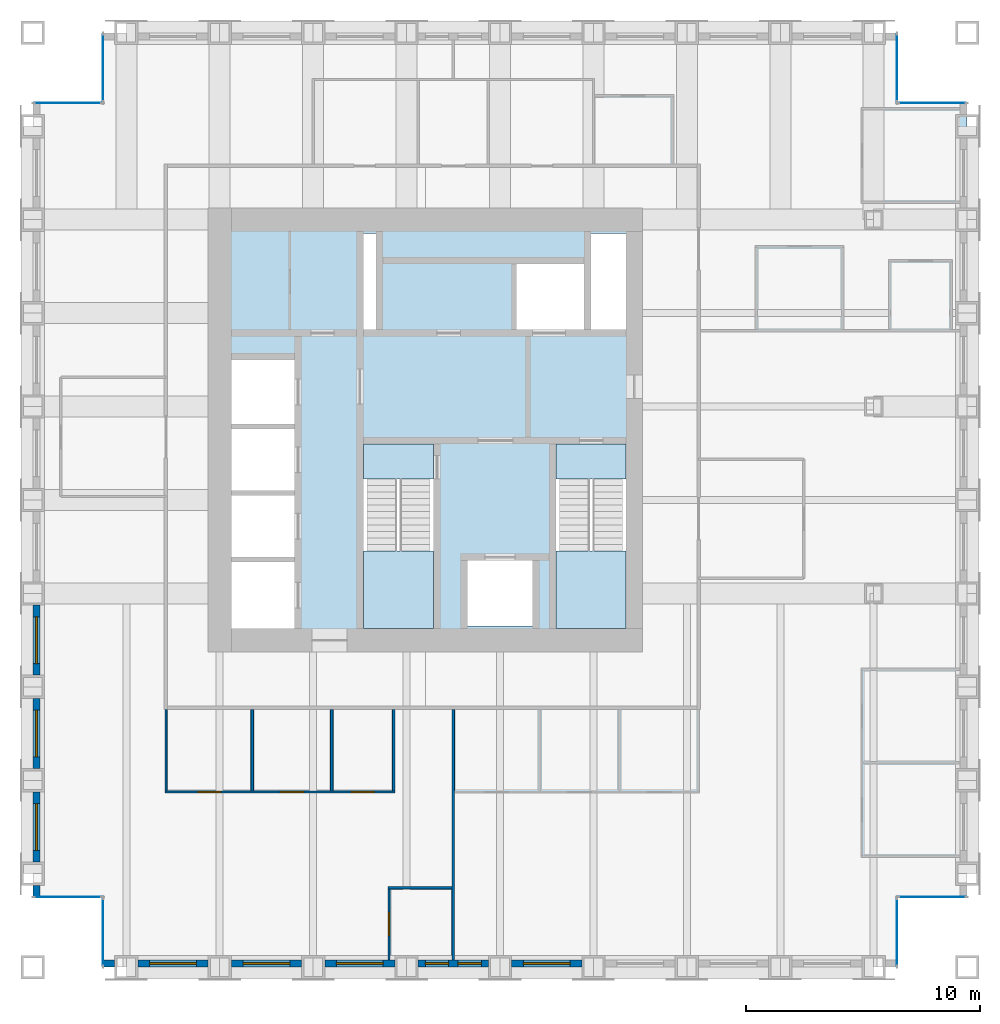
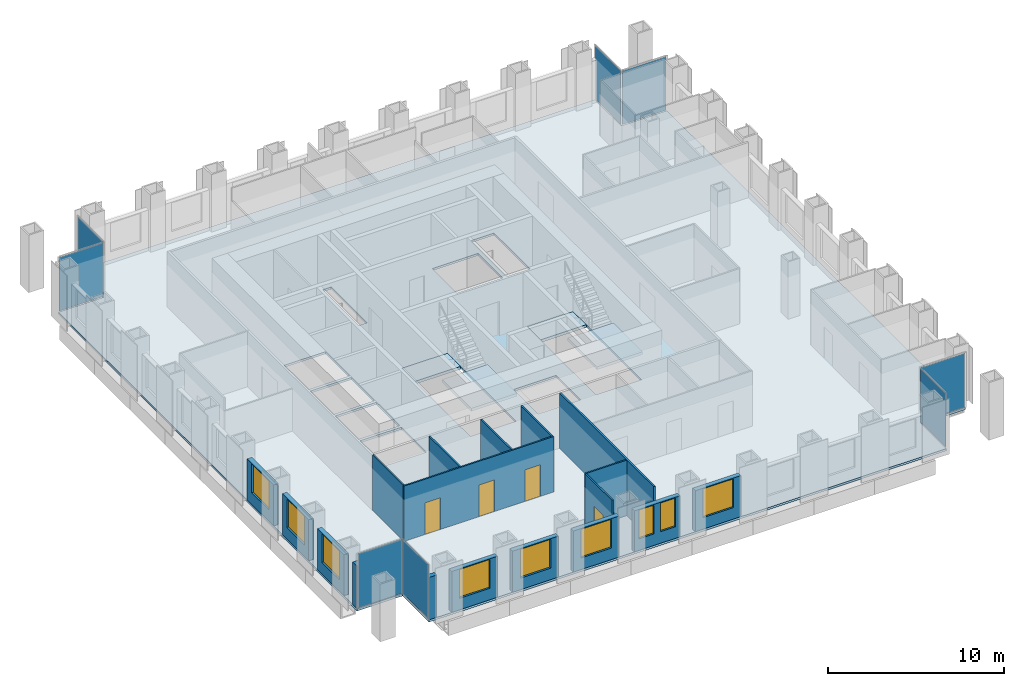
# One storey, part 7 of 13: 18 walls, 9 windows, 8 plates, 5 slabs, 4 doors, 13 openings, 10 elements without a shape of their own.
"""IFC4 building model written with IfcOpenShell, lengths in metres."""

from ifc_helpers import new_model, si_unit, direction, frame, frame_2d, origin, origin_2d, place, context, subcontext, project, spatial, polyline, rectangle, outline, extrude, material, layer, layer_set, type_object, element, fill, aggregate, save


model = new_model("IFC4")

# Units and contexts
model_context = context("Model", 3, precision=1e-05, world=origin(), true_north=direction((0.0, 1.0)))
body_context = subcontext(model_context, "Body", "Model", "MODEL_VIEW")
ifc_project = project(units=[si_unit("LENGTHUNIT", "METRE"), si_unit("AREAUNIT", "SQUARE_METRE"), si_unit("VOLUMEUNIT", "CUBIC_METRE"), si_unit("PLANEANGLEUNIT", "RADIAN"), si_unit("MASSUNIT", "GRAM", prefix="KILO")], contexts=[model_context])

# Site, building, storey
site_placement = place(None, origin())
site = spatial("IfcSite", under=ifc_project, at=site_placement, CompositionType="ELEMENT")
building_placement = place(site_placement, origin())
building = spatial("IfcBuilding", under=site, at=building_placement, Name="Rimbunsela Tower", CompositionType="ELEMENT")
storey_placement = place(building_placement, frame((0.0, 0.0, 258.199951171875)))
storey = spatial("IfcBuildingStorey", under=building, at=storey_placement, Name="L62", CompositionType="ELEMENT", Elevation=258.199951171875)

# Slab
ifc_material_1 = material(Name="Concrete fc' 35 MPa", Category="concrete")
ifc_layer_1 = layer(ifc_material_1, 0.14990234375)
ifc_layer_set_1 = layer_set([ifc_layer_1], Name="Floor slab 150")
slab_type_1 = type_object("IfcSlabType", Name="Floor slab 150", PredefinedType="FLOOR", material=ifc_layer_set_1)
slab_1_placement = place(storey_placement, frame((0.0, 0.0, -0.14990234375)))
element("IfcSlab", 1, at=slab_1_placement, inside=storey, type_object=slab_type_1, Name="Floor slab L62", PredefinedType="FLOOR", context=body_context, shape_type="SweptSolid", body=[
    extrude(outline(polyline([(13.0, 4.0), (47.0, 4.0), (47.0, 7.0), (50.0, 7.0), (50.0, 41.0), (47.0, 41.0), (47.0, 44.0), (13.0, 44.0), (13.0, 41.0), (10.0, 41.0), (10.0, 7.0), (13.0, 7.0), (13.0, 4.0)]), holes=[polyline([(21.199951171875, 21.35009765625), (18.5, 21.35009765625), (18.5, 18.5), (21.199951171875, 18.5), (21.199951171875, 21.35009765625)]), polyline([(21.199951171875, 21.550048828125), (21.199951171875, 24.199951171875), (18.5, 24.199951171875), (18.5, 21.550048828125), (21.199951171875, 21.550048828125)]), polyline([(21.199951171875, 27.050048828125), (18.5, 27.050048828125), (18.5, 24.39990234375), (21.199951171875, 24.39990234375), (21.199951171875, 27.050048828125)]), polyline([(21.199951171875, 30.0), (18.5, 30.0), (18.5, 27.25), (21.199951171875, 27.25), (21.199951171875, 30.0)]), polyline([(27.14990234375, 26.39990234375), (24.14990234375, 26.39990234375), (24.14990234375, 18.60009765625), (27.14990234375, 18.60009765625), (27.14990234375, 26.39990234375)]), polyline([(24.699951171875, 31.300048828125), (24.699951171875, 35.39990234375), (24.14990234375, 35.39990234375), (24.14990234375, 31.300048828125), (24.699951171875, 31.300048828125)]), polyline([(31.39990234375, 21.39990234375), (28.60009765625, 21.39990234375), (28.60009765625, 18.60009765625), (31.39990234375, 18.60009765625), (31.39990234375, 21.39990234375)]), polyline([(33.60009765625, 34.10009765625), (30.60009765625, 34.10009765625), (30.60009765625, 31.300048828125), (33.60009765625, 31.300048828125), (33.60009765625, 34.10009765625)]), polyline([(35.39990234375, 18.60009765625), (35.39990234375, 26.39990234375), (32.39990234375, 26.39990234375), (32.39990234375, 18.60009765625), (35.39990234375, 18.60009765625)]), polyline([(35.39990234375, 31.300048828125), (35.39990234375, 35.39990234375), (33.89990234375, 35.39990234375), (33.89990234375, 31.300048828125), (35.39990234375, 31.300048828125)])]), origin(), (0.0, 0.0, 1.0), 0.14990234375),
])

# Curtain wall, plate
ifc_material_2 = material(Name="Aluminium curtain wall", Category="aluminium")
curtain_wall_type = type_object("IfcCurtainWallType", Name="Corner glazing", PredefinedType="USERDEFINED", material=ifc_material_2)
curtain_wall_1_placement = place(storey_placement, origin())
curtain_wall_1 = element("IfcCurtainWall", 2, at=curtain_wall_1_placement, inside=storey, type_object=curtain_wall_type, Name="Corner glazing L62", ObjectType="CORNER GLAZING", PredefinedType="USERDEFINED")
ifc_material_3 = material(Name="Clear double glazing", Category="glass")
ifc_layer_2 = layer(ifc_material_3, 0.028076171875)
ifc_layer_set_2 = layer_set([ifc_layer_2], Name="Glazed panel clear")
plate_type = type_object("IfcPlateType", Name="Glazed panel clear", PredefinedType="CURTAIN_PANEL", material=ifc_layer_set_2)
plate_1_placement = place(storey_placement, frame((47.0, 5.5, 0.06005859375), z_axis=(0.0, 0.0, 1.0), x_axis=(0.0, 1.0, 0.0)))
plate_1 = element("IfcPlate", 3, at=plate_1_placement, type_object=plate_type, Name="CW5 panel 1.1", PredefinedType="CURTAIN_PANEL", context=body_context, shape_type="SweptSolid", body=[
    extrude(rectangle(XDim=2.8798828125, YDim=0.028076171875, at=origin_2d()), origin(), (0.0, 0.0, 1.0), 3.72998046875),
])
aggregate(curtain_wall_1, [plate_1])

curtain_wall_2_placement = place(storey_placement, origin())
curtain_wall_2 = element("IfcCurtainWall", 4, at=curtain_wall_2_placement, inside=storey, type_object=curtain_wall_type, Name="Corner glazing L62", ObjectType="CORNER GLAZING", PredefinedType="USERDEFINED")
plate_2_placement = place(storey_placement, frame((48.5, 7.0, 0.06005859375), z_axis=(0.0, 0.0, 1.0), x_axis=(1.0, 0.0, 0.0)))
plate_2 = element("IfcPlate", 5, at=plate_2_placement, type_object=plate_type, Name="CW5 panel 1.1", PredefinedType="CURTAIN_PANEL", context=body_context, shape_type="SweptSolid", body=[
    extrude(rectangle(XDim=2.8798828125, YDim=0.028076171875, at=origin_2d()), origin(), (0.0, 0.0, 1.0), 3.72998046875),
])
aggregate(curtain_wall_2, [plate_2])

curtain_wall_3_placement = place(storey_placement, origin())
curtain_wall_3 = element("IfcCurtainWall", 6, at=curtain_wall_3_placement, inside=storey, type_object=curtain_wall_type, Name="Corner glazing L62", ObjectType="CORNER GLAZING", PredefinedType="USERDEFINED")
plate_3_placement = place(storey_placement, frame((48.5, 41.0, 0.06005859375), z_axis=(0.0, 0.0, 1.0), x_axis=(-1.0, 0.0, 0.0)))
plate_3 = element("IfcPlate", 7, at=plate_3_placement, type_object=plate_type, Name="CW5 panel 1.1", PredefinedType="CURTAIN_PANEL", context=body_context, shape_type="SweptSolid", body=[
    extrude(rectangle(XDim=2.8798828125, YDim=0.028076171875, at=origin_2d()), origin(), (0.0, 0.0, 1.0), 3.72998046875),
])
aggregate(curtain_wall_3, [plate_3])

curtain_wall_4_placement = place(storey_placement, origin())
curtain_wall_4 = element("IfcCurtainWall", 8, at=curtain_wall_4_placement, inside=storey, type_object=curtain_wall_type, Name="Corner glazing L62", ObjectType="CORNER GLAZING", PredefinedType="USERDEFINED")
plate_4_placement = place(storey_placement, frame((47.0, 42.5, 0.06005859375), z_axis=(0.0, 0.0, 1.0), x_axis=(0.0, 1.0, 0.0)))
plate_4 = element("IfcPlate", 9, at=plate_4_placement, type_object=plate_type, Name="CW5 panel 1.1", PredefinedType="CURTAIN_PANEL", context=body_context, shape_type="SweptSolid", body=[
    extrude(rectangle(XDim=2.8798828125, YDim=0.028076171875, at=origin_2d()), origin(), (0.0, 0.0, 1.0), 3.72998046875),
])
aggregate(curtain_wall_4, [plate_4])

curtain_wall_5_placement = place(storey_placement, origin())
curtain_wall_5 = element("IfcCurtainWall", 10, at=curtain_wall_5_placement, inside=storey, type_object=curtain_wall_type, Name="Corner glazing L62", ObjectType="CORNER GLAZING", PredefinedType="USERDEFINED")
plate_5_placement = place(storey_placement, frame((13.0, 42.5, 0.06005859375), z_axis=(0.0, 0.0, 1.0), x_axis=(0.0, -1.0, 0.0)))
plate_5 = element("IfcPlate", 11, at=plate_5_placement, type_object=plate_type, Name="CW5 panel 1.1", PredefinedType="CURTAIN_PANEL", context=body_context, shape_type="SweptSolid", body=[
    extrude(rectangle(XDim=2.8798828125, YDim=0.028076171875, at=origin_2d()), origin(), (0.0, 0.0, 1.0), 3.72998046875),
])
aggregate(curtain_wall_5, [plate_5])

curtain_wall_6_placement = place(storey_placement, origin())
curtain_wall_6 = element("IfcCurtainWall", 12, at=curtain_wall_6_placement, inside=storey, type_object=curtain_wall_type, Name="Corner glazing L62", ObjectType="CORNER GLAZING", PredefinedType="USERDEFINED")
plate_6_placement = place(storey_placement, frame((11.5, 41.0, 0.06005859375), z_axis=(0.0, 0.0, 1.0), x_axis=(-1.0, 0.0, 0.0)))
plate_6 = element("IfcPlate", 13, at=plate_6_placement, type_object=plate_type, Name="CW5 panel 1.1", PredefinedType="CURTAIN_PANEL", context=body_context, shape_type="SweptSolid", body=[
    extrude(rectangle(XDim=2.8798828125, YDim=0.028076171875, at=origin_2d()), origin(), (0.0, 0.0, 1.0), 3.72998046875),
])
aggregate(curtain_wall_6, [plate_6])

curtain_wall_7_placement = place(storey_placement, origin())
curtain_wall_7 = element("IfcCurtainWall", 14, at=curtain_wall_7_placement, inside=storey, type_object=curtain_wall_type, Name="Corner glazing L62", ObjectType="CORNER GLAZING", PredefinedType="USERDEFINED")
plate_7_placement = place(storey_placement, frame((11.5, 7.0, 0.06005859375), z_axis=(0.0, 0.0, 1.0), x_axis=(1.0, 0.0, 0.0)))
plate_7 = element("IfcPlate", 15, at=plate_7_placement, type_object=plate_type, Name="CW5 panel 1.1", PredefinedType="CURTAIN_PANEL", context=body_context, shape_type="SweptSolid", body=[
    extrude(rectangle(XDim=2.8798828125, YDim=0.028076171875, at=origin_2d()), origin(), (0.0, 0.0, 1.0), 3.72998046875),
])
aggregate(curtain_wall_7, [plate_7])

curtain_wall_8_placement = place(storey_placement, origin())
curtain_wall_8 = element("IfcCurtainWall", 16, at=curtain_wall_8_placement, inside=storey, type_object=curtain_wall_type, Name="Corner glazing L62", ObjectType="CORNER GLAZING", PredefinedType="USERDEFINED")
plate_8_placement = place(storey_placement, frame((13.0, 5.5, 0.06005859375), z_axis=(0.0, 0.0, 1.0), x_axis=(0.0, -1.0, 0.0)))
plate_8 = element("IfcPlate", 17, at=plate_8_placement, type_object=plate_type, Name="CW5 panel 1.1", PredefinedType="CURTAIN_PANEL", context=body_context, shape_type="SweptSolid", body=[
    extrude(rectangle(XDim=2.8798828125, YDim=0.028076171875, at=origin_2d()), origin(), (0.0, 0.0, 1.0), 3.72998046875),
])
aggregate(curtain_wall_8, [plate_8])

# Stair, slabs
ifc_material_4 = material(Name="Concrete fc' 35 MPa", Category="concrete")
stair_type = type_object("IfcStairType", Name="Exit stair 24 risers", PredefinedType="HALF_TURN_STAIR", material=ifc_material_4)
stair_1_placement = place(storey_placement, origin())
stair_1 = element("IfcStair", 18, at=stair_1_placement, inside=storey, type_object=stair_type, Name="Exit stair A L62", PredefinedType="HALF_TURN_STAIR")
ifc_material_5 = material(Name="Concrete fc' 35 MPa", Category="concrete")
ifc_layer_3 = layer(ifc_material_5, 0.199951171875)
ifc_layer_set_3 = layer_set([ifc_layer_3], Name="Stair landing 200")
slab_type_2 = type_object("IfcSlabType", Name="Stair landing 200", PredefinedType="LANDING", material=ifc_layer_set_3)
slab_2_placement = place(storey_placement, frame((0.0, 0.0, -0.199951171875)))
slab_2 = element("IfcSlab", 19, at=slab_2_placement, type_object=slab_type_2, Name="ST-A landing 1", PredefinedType="LANDING", context=body_context, shape_type="SweptSolid", body=[
    extrude(outline(polyline([(24.14990234375, 24.89990234375), (27.14990234375, 24.89990234375), (27.14990234375, 26.39990234375), (24.14990234375, 26.39990234375), (24.14990234375, 24.89990234375)])), origin(), (0.0, 0.0, 1.0), 0.199951171875),
])
slab_3_placement = place(storey_placement, frame((0.0, 0.0, 1.800048828125)))
slab_3 = element("IfcSlab", 20, at=slab_3_placement, type_object=slab_type_2, Name="ST-A landing 2", PredefinedType="LANDING", context=body_context, shape_type="SweptSolid", body=[
    extrude(outline(polyline([(24.14990234375, 18.5), (27.14990234375, 18.5), (27.14990234375, 21.820068359375), (24.14990234375, 21.820068359375), (24.14990234375, 18.5)])), origin(), (0.0, 0.0, 1.0), 0.199951171875),
])
aggregate(stair_1, [slab_2, slab_3])

stair_2_placement = place(storey_placement, origin())
stair_2 = element("IfcStair", 21, at=stair_2_placement, inside=storey, type_object=stair_type, Name="Exit stair B L62", PredefinedType="HALF_TURN_STAIR")
slab_4_placement = place(storey_placement, frame((0.0, 0.0, -0.199951171875)))
slab_4 = element("IfcSlab", 22, at=slab_4_placement, type_object=slab_type_2, Name="ST-B landing 1", PredefinedType="LANDING", context=body_context, shape_type="SweptSolid", body=[
    extrude(outline(polyline([(32.39990234375, 24.89990234375), (35.39990234375, 24.89990234375), (35.39990234375, 26.39990234375), (32.39990234375, 26.39990234375), (32.39990234375, 24.89990234375)])), origin(), (0.0, 0.0, 1.0), 0.199951171875),
])
slab_5_placement = place(storey_placement, frame((0.0, 0.0, 1.800048828125)))
slab_5 = element("IfcSlab", 23, at=slab_5_placement, type_object=slab_type_2, Name="ST-B landing 2", PredefinedType="LANDING", context=body_context, shape_type="SweptSolid", body=[
    extrude(outline(polyline([(32.39990234375, 18.5), (35.39990234375, 18.5), (35.39990234375, 21.820068359375), (32.39990234375, 21.820068359375), (32.39990234375, 18.5)])), origin(), (0.0, 0.0, 1.0), 0.199951171875),
])
aggregate(stair_2, [slab_4, slab_5])

# Wall
ifc_material_6 = material(Name="Gypsum board on steel studs", Category="steel")
ifc_layer_4 = layer(ifc_material_6, 0.10009765625)
ifc_layer_set_4 = layer_set([ifc_layer_4], Name="Office partition 100")
wall_type_1 = type_object("IfcWallType", Name="Office partition 100", PredefinedType="PARTITIONING", material=ifc_layer_set_4)
wall_1_placement = place(storey_placement, frame((25.199951171875, 7.39990234375, 0.0), z_axis=(0.0, 0.0, 1.0), x_axis=(1.0, 0.0, 0.0)))
element("IfcWall", 24, at=wall_1_placement, inside=storey, type_object=wall_type_1, Name="Office partition", PredefinedType="PARTITIONING", context=body_context, shape_type="SweptSolid", body=[
    extrude(rectangle(XDim=2.739990234375, YDim=0.10009765625, at=frame_2d((1.3701171875, 0.0))), origin(), (0.0, 0.0, 1.0), 3.85009765625),
])

# Wall, openings, doors
wall_2_placement = place(storey_placement, frame((15.64990234375, 11.5, 0.0), z_axis=(0.0, 0.0, 1.0), x_axis=(1.0, 0.0, 0.0)))
wall_2 = element("IfcWall", 25, at=wall_2_placement, inside=storey, type_object=wall_type_1, Name="Office partition", PredefinedType="PARTITIONING", context=body_context, shape_type="SweptSolid", body=[
    extrude(rectangle(XDim=9.85009765625, YDim=0.10009765625, at=frame_2d((4.925048828125, 0.0))), origin(), (0.0, 0.0, 1.0), 3.85009765625),
])
opening_1_placement = place(wall_2_placement, frame((1.39990234375, 0.0, 0.0)))
opening_1 = element("IfcOpeningElement", 26, at=opening_1_placement, cuts=wall_2, Name="Opening D17", PredefinedType="OPENING", context=body_context, shape_type="SweptSolid", body=[
    extrude(rectangle(XDim=1.0, YDim=2.199951171875, at=frame_2d((0.5, 1.10009765625))), frame((0.0, 0.06005859375, 0.0), z_axis=(0.0, -1.0, 0.0), x_axis=(1.0, 0.0, 0.0)), (0.0, 0.0, 1.0), 0.1201171875),
])
opening_2_placement = place(wall_2_placement, frame((4.949951171875, 0.0, 0.0)))
opening_2 = element("IfcOpeningElement", 27, at=opening_2_placement, cuts=wall_2, Name="Opening D16", PredefinedType="OPENING", context=body_context, shape_type="SweptSolid", body=[
    extrude(rectangle(XDim=1.0, YDim=2.199951171875, at=frame_2d((0.5, 1.10009765625))), frame((0.0, 0.06005859375, 0.0), z_axis=(0.0, -1.0, 0.0), x_axis=(1.0, 0.0, 0.0)), (0.0, 0.0, 1.0), 0.1201171875),
])
opening_3_placement = place(wall_2_placement, frame((7.97509765625, 0.0, 0.0)))
opening_3 = element("IfcOpeningElement", 28, at=opening_3_placement, cuts=wall_2, Name="Opening D16", PredefinedType="OPENING", context=body_context, shape_type="SweptSolid", body=[
    extrude(rectangle(XDim=1.0, YDim=2.199951171875, at=frame_2d((0.5, 1.10009765625))), frame((0.0, 0.06005859375, 0.0), z_axis=(0.0, -1.0, 0.0), x_axis=(1.0, 0.0, 0.0)), (0.0, 0.0, 1.0), 0.1201171875),
])
ifc_material_7 = material(Name="Glazed aluminium door", Category="aluminium")
door_type_1 = type_object("IfcDoorType", Name="Meeting room door 1000 glazed", OperationType="SINGLE_SWING_RIGHT", PredefinedType="DOOR", material=ifc_material_7)
door_1_placement = place(opening_1_placement, origin())
door_1 = element("IfcDoor", 29, at=door_1_placement, inside=storey, type_object=door_type_1, Name="Meeting room door", OperationType="SINGLE_SWING_RIGHT", OverallHeight=2.199951171875, OverallWidth=1.0, PredefinedType="DOOR", context=body_context, shape_type="SweptSolid", body=[
    extrude(rectangle(XDim=1.0, YDim=2.199951171875, at=frame_2d((0.5, 1.10009765625))), frame((0.0, 0.02490234375, 0.0), z_axis=(0.0, -1.0, 0.0), x_axis=(1.0, 0.0, 0.0)), (0.0, 0.0, 1.0), 0.050048828125),
])
fill(opening_1, door_1)
ifc_material_8 = material(Name="Timber door", Category="wood")
door_type_2 = type_object("IfcDoorType", Name="Office door 1000", OperationType="SINGLE_SWING_LEFT", PredefinedType="DOOR", material=ifc_material_8)
door_2_placement = place(opening_2_placement, origin())
door_2 = element("IfcDoor", 30, at=door_2_placement, inside=storey, type_object=door_type_2, Name="Office door", OperationType="SINGLE_SWING_LEFT", OverallHeight=2.199951171875, OverallWidth=1.0, PredefinedType="DOOR", context=body_context, shape_type="SweptSolid", body=[
    extrude(rectangle(XDim=1.0, YDim=2.199951171875, at=frame_2d((0.5, 1.10009765625))), frame((0.0, 0.02490234375, 0.0), z_axis=(0.0, -1.0, 0.0), x_axis=(1.0, 0.0, 0.0)), (0.0, 0.0, 1.0), 0.050048828125),
])
fill(opening_2, door_2)
door_3_placement = place(opening_3_placement, origin())
door_3 = element("IfcDoor", 31, at=door_3_placement, inside=storey, type_object=door_type_2, Name="Office door", OperationType="SINGLE_SWING_LEFT", OverallHeight=2.199951171875, OverallWidth=1.0, PredefinedType="DOOR", context=body_context, shape_type="SweptSolid", body=[
    extrude(rectangle(XDim=1.0, YDim=2.199951171875, at=frame_2d((0.5, 1.10009765625))), frame((0.0, 0.02490234375, 0.0), z_axis=(0.0, -1.0, 0.0), x_axis=(1.0, 0.0, 0.0)), (0.0, 0.0, 1.0), 0.050048828125),
])
fill(opening_3, door_3)

# Walls
for number, where, z_axis, x_axis, name in (
    (32, (15.699951171875, 11.550048828125, 0.0), (0.0, 0.0, 1.0), (0.0, 1.0, 0.0), "Office partition"),
    (33, (19.39990234375, 11.550048828125, 0.0), (0.0, 0.0, 1.0), (0.0, 1.0, 0.0), "Office partition"),
    (34, (22.800048828125, 11.550048828125, 0.0), (0.0, 0.0, 1.0), (0.0, 1.0, 0.0), "Office partition"),
):
    element("IfcWall", number, at=place(storey_placement, frame(where, z_axis=z_axis, x_axis=x_axis)), inside=storey, type_object=wall_type_1, Name=name, PredefinedType="PARTITIONING", context=body_context, shape_type="SweptSolid", body=[
        extrude(rectangle(XDim=3.474853515625, YDim=0.10009765625, at=frame_2d((1.7373046875, 0.0))), origin(), (0.0, 0.0, 1.0), 3.85009765625),
    ])

# Wall, opening, door
wall_3_placement = place(storey_placement, frame((25.25, 4.300048828125, 0.0), z_axis=(0.0, 0.0, 1.0), x_axis=(0.0, 1.0, 0.0)))
wall_3 = element("IfcWall", 35, at=wall_3_placement, inside=storey, type_object=wall_type_1, Name="Office partition", PredefinedType="PARTITIONING", context=body_context, shape_type="SweptSolid", body=[
    extrude(rectangle(XDim=3.050048828125, YDim=0.10009765625, at=frame_2d((1.52490234375, 0.0))), origin(), (0.0, 0.0, 1.0), 3.85009765625),
])
opening_4_placement = place(wall_3_placement, frame((1.050048828125, 0.0, 0.0)))
opening_4 = element("IfcOpeningElement", 36, at=opening_4_placement, cuts=wall_3, Name="Opening D16", PredefinedType="OPENING", context=body_context, shape_type="SweptSolid", body=[
    extrude(rectangle(XDim=1.0, YDim=2.199951171875, at=frame_2d((0.5, 1.10009765625))), frame((0.0, 0.06005859375, 0.0), z_axis=(0.0, -1.0, 0.0), x_axis=(1.0, 0.0, 0.0)), (0.0, 0.0, 1.0), 0.1201171875),
])
door_4_placement = place(opening_4_placement, origin())
door_4 = element("IfcDoor", 37, at=door_4_placement, inside=storey, type_object=door_type_2, Name="Office door", OperationType="SINGLE_SWING_LEFT", OverallHeight=2.199951171875, OverallWidth=1.0, PredefinedType="DOOR", context=body_context, shape_type="SweptSolid", body=[
    extrude(rectangle(XDim=1.0, YDim=2.199951171875, at=frame_2d((0.5, 1.10009765625))), frame((0.0, 0.02490234375, 0.0), z_axis=(0.0, -1.0, 0.0), x_axis=(1.0, 0.0, 0.0)), (0.0, 0.0, 1.0), 0.050048828125),
])
fill(opening_4, door_4)

# Walls
wall_4_placement = place(storey_placement, frame((25.449951171875, 11.550048828125, 0.0), z_axis=(0.0, 0.0, 1.0), x_axis=(0.0, 1.0, 0.0)))
element("IfcWall", 38, at=wall_4_placement, inside=storey, type_object=wall_type_1, Name="Office partition", PredefinedType="PARTITIONING", context=body_context, shape_type="SweptSolid", body=[
    extrude(rectangle(XDim=3.474853515625, YDim=0.10009765625, at=frame_2d((1.7373046875, 0.0))), origin(), (0.0, 0.0, 1.0), 3.85009765625),
])
ifc_material_9 = material(Name="Precast concrete fc' 35 MPa", Category="concrete")
ifc_layer_5 = layer(ifc_material_9, 0.300048828125)
ifc_layer_set_5 = layer_set([ifc_layer_5], Name="Precast concrete fc' 35 MPa")
wall_type_2 = type_object("IfcWallType", Name="Precast facade panel 300", PredefinedType="ELEMENTEDWALL", material=ifc_layer_set_5)
wall_5_placement = place(storey_placement, frame((13.030029296875, 4.14990234375, 0.0), z_axis=(0.0, 0.0, 1.0), x_axis=(1.0, 0.0, 0.0)))
element("IfcWall", 39, at=wall_5_placement, inside=storey, type_object=wall_type_2, Name="Facade panel S L62", PredefinedType="ELEMENTEDWALL", context=body_context, shape_type="SweptSolid", body=[
    extrude(rectangle(XDim=0.469970703125, YDim=0.300048828125, at=frame_2d((0.23486328125, 0.0))), origin(), (0.0, 0.0, 1.0), 2.949951171875),
])

# Wall, opening, window
wall_6_placement = place(storey_placement, frame((14.5, 4.14990234375, 0.0), z_axis=(0.0, 0.0, 1.0), x_axis=(1.0, 0.0, 0.0)))
wall_6 = element("IfcWall", 40, at=wall_6_placement, inside=storey, type_object=wall_type_2, Name="Facade panel S L62", PredefinedType="ELEMENTEDWALL", context=body_context, shape_type="SweptSolid", body=[
    extrude(rectangle(XDim=3.0, YDim=0.300048828125, at=frame_2d((1.5, 0.0))), origin(), (0.0, 0.0, 1.0), 2.85009765625),
])
opening_5_placement = place(wall_6_placement, frame((0.5, 0.0, 0.800048828125)))
opening_5 = element("IfcOpeningElement", 41, at=opening_5_placement, cuts=wall_6, Name="Opening W1", PredefinedType="OPENING", context=body_context, shape_type="SweptSolid", body=[
    extrude(rectangle(XDim=2.0, YDim=2.0, at=frame_2d((1.0, 1.0))), frame((0.0, 0.159912109375, 0.0), z_axis=(0.0, -1.0, 0.0), x_axis=(1.0, 0.0, 0.0)), (0.0, 0.0, 1.0), 0.320068359375),
])
ifc_material_10 = material(Name="Clear glass in aluminium frame", Category="aluminium")
window_type_1 = type_object("IfcWindowType", Name="Window W1 2000x2000", PartitioningType="DOUBLE_PANEL_VERTICAL", PredefinedType="WINDOW", material=ifc_material_10)
window_1_placement = place(opening_5_placement, origin())
window_1 = element("IfcWindow", 42, at=window_1_placement, inside=storey, type_object=window_type_1, Name="Window L62", OverallHeight=2.0, OverallWidth=2.0, PartitioningType="SINGLE_PANEL", PredefinedType="WINDOW", context=body_context, shape_type="SweptSolid", body=[
    extrude(rectangle(XDim=2.0, YDim=2.0, at=frame_2d((1.0, 1.0))), frame((0.0, 0.030029296875, 0.0), z_axis=(0.0, -1.0, 0.0), x_axis=(1.0, 0.0, 0.0)), (0.0, 0.0, 1.0), 0.06005859375),
])
fill(opening_5, window_1)

wall_7_placement = place(storey_placement, frame((18.5, 4.14990234375, 0.0), z_axis=(0.0, 0.0, 1.0), x_axis=(1.0, 0.0, 0.0)))
wall_7 = element("IfcWall", 43, at=wall_7_placement, inside=storey, type_object=wall_type_2, Name="Facade panel S L62", PredefinedType="ELEMENTEDWALL", context=body_context, shape_type="SweptSolid", body=[
    extrude(rectangle(XDim=3.0, YDim=0.300048828125, at=frame_2d((1.5, 0.0))), origin(), (0.0, 0.0, 1.0), 2.85009765625),
])
opening_6_placement = place(wall_7_placement, frame((0.5, 0.0, 0.800048828125)))
opening_6 = element("IfcOpeningElement", 44, at=opening_6_placement, cuts=wall_7, Name="Opening W1", PredefinedType="OPENING", context=body_context, shape_type="SweptSolid", body=[
    extrude(rectangle(XDim=2.0, YDim=2.0, at=frame_2d((1.0, 1.0))), frame((0.0, 0.159912109375, 0.0), z_axis=(0.0, -1.0, 0.0), x_axis=(1.0, 0.0, 0.0)), (0.0, 0.0, 1.0), 0.320068359375),
])
window_2_placement = place(opening_6_placement, origin())
window_2 = element("IfcWindow", 45, at=window_2_placement, inside=storey, type_object=window_type_1, Name="Window L62", OverallHeight=2.0, OverallWidth=2.0, PartitioningType="SINGLE_PANEL", PredefinedType="WINDOW", context=body_context, shape_type="SweptSolid", body=[
    extrude(rectangle(XDim=2.0, YDim=2.0, at=frame_2d((1.0, 1.0))), frame((0.0, 0.030029296875, 0.0), z_axis=(0.0, -1.0, 0.0), x_axis=(1.0, 0.0, 0.0)), (0.0, 0.0, 1.0), 0.06005859375),
])
fill(opening_6, window_2)

wall_8_placement = place(storey_placement, frame((22.5, 4.14990234375, 0.0), z_axis=(0.0, 0.0, 1.0), x_axis=(1.0, 0.0, 0.0)))
wall_8 = element("IfcWall", 46, at=wall_8_placement, inside=storey, type_object=wall_type_2, Name="Facade panel S L62", PredefinedType="ELEMENTEDWALL", context=body_context, shape_type="SweptSolid", body=[
    extrude(rectangle(XDim=3.0, YDim=0.300048828125, at=frame_2d((1.5, 0.0))), origin(), (0.0, 0.0, 1.0), 2.85009765625),
])
opening_7_placement = place(wall_8_placement, frame((0.5, 0.0, 0.800048828125)))
opening_7 = element("IfcOpeningElement", 47, at=opening_7_placement, cuts=wall_8, Name="Opening W1", PredefinedType="OPENING", context=body_context, shape_type="SweptSolid", body=[
    extrude(rectangle(XDim=2.0, YDim=2.0, at=frame_2d((1.0, 1.0))), frame((0.0, 0.159912109375, 0.0), z_axis=(0.0, -1.0, 0.0), x_axis=(1.0, 0.0, 0.0)), (0.0, 0.0, 1.0), 0.320068359375),
])
window_3_placement = place(opening_7_placement, origin())
window_3 = element("IfcWindow", 48, at=window_3_placement, inside=storey, type_object=window_type_1, Name="Window L62", OverallHeight=2.0, OverallWidth=2.0, PartitioningType="SINGLE_PANEL", PredefinedType="WINDOW", context=body_context, shape_type="SweptSolid", body=[
    extrude(rectangle(XDim=2.0, YDim=2.0, at=frame_2d((1.0, 1.0))), frame((0.0, 0.030029296875, 0.0), z_axis=(0.0, -1.0, 0.0), x_axis=(1.0, 0.0, 0.0)), (0.0, 0.0, 1.0), 0.06005859375),
])
fill(opening_7, window_3)

# Wall, openings, windows
wall_9_placement = place(storey_placement, frame((26.5, 4.14990234375, 0.0), z_axis=(0.0, 0.0, 1.0), x_axis=(1.0, 0.0, 0.0)))
wall_9 = element("IfcWall", 49, at=wall_9_placement, inside=storey, type_object=wall_type_2, Name="Facade panel S L62", PredefinedType="ELEMENTEDWALL", context=body_context, shape_type="SweptSolid", body=[
    extrude(rectangle(XDim=3.0, YDim=0.300048828125, at=frame_2d((1.5, 0.0))), origin(), (0.0, 0.0, 1.0), 2.85009765625),
])
opening_8_placement = place(wall_9_placement, frame((0.300048828125, 0.0, 0.800048828125)))
opening_8 = element("IfcOpeningElement", 50, at=opening_8_placement, cuts=wall_9, Name="Opening W5", PredefinedType="OPENING", context=body_context, shape_type="SweptSolid", body=[
    extrude(rectangle(XDim=1.0, YDim=2.0, at=frame_2d((0.5, 1.0))), frame((0.0, 0.159912109375, 0.0), z_axis=(0.0, -1.0, 0.0), x_axis=(1.0, 0.0, 0.0)), (0.0, 0.0, 1.0), 0.320068359375),
])
opening_9_placement = place(wall_9_placement, frame((1.699951171875, 0.0, 0.800048828125)))
opening_9 = element("IfcOpeningElement", 51, at=opening_9_placement, cuts=wall_9, Name="Opening W5", PredefinedType="OPENING", context=body_context, shape_type="SweptSolid", body=[
    extrude(rectangle(XDim=1.0, YDim=2.0, at=frame_2d((0.5, 1.0))), frame((0.0, 0.159912109375, 0.0), z_axis=(0.0, -1.0, 0.0), x_axis=(1.0, 0.0, 0.0)), (0.0, 0.0, 1.0), 0.320068359375),
])
ifc_material_11 = material(Name="Clear glass in aluminium frame", Category="aluminium")
window_type_2 = type_object("IfcWindowType", Name="Window W5 1000x2000", PartitioningType="SINGLE_PANEL", PredefinedType="WINDOW", material=ifc_material_11)
window_4_placement = place(opening_8_placement, origin())
window_4 = element("IfcWindow", 52, at=window_4_placement, inside=storey, type_object=window_type_2, Name="Window L62", OverallHeight=2.0, OverallWidth=1.0, PartitioningType="SINGLE_PANEL", PredefinedType="WINDOW", context=body_context, shape_type="SweptSolid", body=[
    extrude(rectangle(XDim=1.0, YDim=2.0, at=frame_2d((0.5, 1.0))), frame((0.0, 0.030029296875, 0.0), z_axis=(0.0, -1.0, 0.0), x_axis=(1.0, 0.0, 0.0)), (0.0, 0.0, 1.0), 0.06005859375),
])
fill(opening_8, window_4)
window_5_placement = place(opening_9_placement, origin())
window_5 = element("IfcWindow", 53, at=window_5_placement, inside=storey, type_object=window_type_2, Name="Window L62", OverallHeight=2.0, OverallWidth=1.0, PartitioningType="SINGLE_PANEL", PredefinedType="WINDOW", context=body_context, shape_type="SweptSolid", body=[
    extrude(rectangle(XDim=1.0, YDim=2.0, at=frame_2d((0.5, 1.0))), frame((0.0, 0.030029296875, 0.0), z_axis=(0.0, -1.0, 0.0), x_axis=(1.0, 0.0, 0.0)), (0.0, 0.0, 1.0), 0.06005859375),
])
fill(opening_9, window_5)

# Wall, opening, window
wall_10_placement = place(storey_placement, frame((30.5, 4.14990234375, 0.0), z_axis=(0.0, 0.0, 1.0), x_axis=(1.0, 0.0, 0.0)))
wall_10 = element("IfcWall", 54, at=wall_10_placement, inside=storey, type_object=wall_type_2, Name="Facade panel S L62", PredefinedType="ELEMENTEDWALL", context=body_context, shape_type="SweptSolid", body=[
    extrude(rectangle(XDim=3.0, YDim=0.300048828125, at=frame_2d((1.5, 0.0))), origin(), (0.0, 0.0, 1.0), 2.85009765625),
])
opening_10_placement = place(wall_10_placement, frame((0.5, 0.0, 0.800048828125)))
opening_10 = element("IfcOpeningElement", 55, at=opening_10_placement, cuts=wall_10, Name="Opening W1", PredefinedType="OPENING", context=body_context, shape_type="SweptSolid", body=[
    extrude(rectangle(XDim=2.0, YDim=2.0, at=frame_2d((1.0, 1.0))), frame((0.0, 0.159912109375, 0.0), z_axis=(0.0, -1.0, 0.0), x_axis=(1.0, 0.0, 0.0)), (0.0, 0.0, 1.0), 0.320068359375),
])
window_6_placement = place(opening_10_placement, origin())
window_6 = element("IfcWindow", 56, at=window_6_placement, inside=storey, type_object=window_type_1, Name="Window L62", OverallHeight=2.0, OverallWidth=2.0, PartitioningType="SINGLE_PANEL", PredefinedType="WINDOW", context=body_context, shape_type="SweptSolid", body=[
    extrude(rectangle(XDim=2.0, YDim=2.0, at=frame_2d((1.0, 1.0))), frame((0.0, 0.030029296875, 0.0), z_axis=(0.0, -1.0, 0.0), x_axis=(1.0, 0.0, 0.0)), (0.0, 0.0, 1.0), 0.06005859375),
])
fill(opening_10, window_6)

# Wall
wall_11_placement = place(storey_placement, frame((10.14990234375, 7.5, 0.0), z_axis=(0.0, 0.0, 1.0), x_axis=(0.0, -1.0, 0.0)))
element("IfcWall", 57, at=wall_11_placement, inside=storey, type_object=wall_type_2, Name="Facade panel W L62", PredefinedType="ELEMENTEDWALL", context=body_context, shape_type="SweptSolid", body=[
    extrude(rectangle(XDim=0.469970703125, YDim=0.300048828125, at=frame_2d((0.23486328125, 0.0))), origin(), (0.0, 0.0, 1.0), 2.949951171875),
])

# Wall, opening, window
wall_12_placement = place(storey_placement, frame((10.14990234375, 11.5, 0.0), z_axis=(0.0, 0.0, 1.0), x_axis=(0.0, -1.0, 0.0)))
wall_12 = element("IfcWall", 58, at=wall_12_placement, inside=storey, type_object=wall_type_2, Name="Facade panel W L62", PredefinedType="ELEMENTEDWALL", context=body_context, shape_type="SweptSolid", body=[
    extrude(rectangle(XDim=3.0, YDim=0.300048828125, at=frame_2d((1.5, 0.0))), origin(), (0.0, 0.0, 1.0), 2.85009765625),
])
opening_11_placement = place(wall_12_placement, frame((0.5, 0.0, 0.800048828125)))
opening_11 = element("IfcOpeningElement", 59, at=opening_11_placement, cuts=wall_12, Name="Opening W1", PredefinedType="OPENING", context=body_context, shape_type="SweptSolid", body=[
    extrude(rectangle(XDim=2.0, YDim=2.0, at=frame_2d((1.0, 1.0))), frame((0.0, 0.159912109375, 0.0), z_axis=(0.0, -1.0, 0.0), x_axis=(1.0, 0.0, 0.0)), (0.0, 0.0, 1.0), 0.320068359375),
])
window_7_placement = place(opening_11_placement, origin())
window_7 = element("IfcWindow", 60, at=window_7_placement, inside=storey, type_object=window_type_1, Name="Window L62", OverallHeight=2.0, OverallWidth=2.0, PartitioningType="SINGLE_PANEL", PredefinedType="WINDOW", context=body_context, shape_type="SweptSolid", body=[
    extrude(rectangle(XDim=2.0, YDim=2.0, at=frame_2d((1.0, 1.0))), frame((0.0, 0.030029296875, 0.0), z_axis=(0.0, -1.0, 0.0), x_axis=(1.0, 0.0, 0.0)), (0.0, 0.0, 1.0), 0.06005859375),
])
fill(opening_11, window_7)

wall_13_placement = place(storey_placement, frame((10.14990234375, 15.5, 0.0), z_axis=(0.0, 0.0, 1.0), x_axis=(0.0, -1.0, 0.0)))
wall_13 = element("IfcWall", 61, at=wall_13_placement, inside=storey, type_object=wall_type_2, Name="Facade panel W L62", PredefinedType="ELEMENTEDWALL", context=body_context, shape_type="SweptSolid", body=[
    extrude(rectangle(XDim=3.0, YDim=0.300048828125, at=frame_2d((1.5, 0.0))), origin(), (0.0, 0.0, 1.0), 2.85009765625),
])
opening_12_placement = place(wall_13_placement, frame((0.5, 0.0, 0.800048828125)))
opening_12 = element("IfcOpeningElement", 62, at=opening_12_placement, cuts=wall_13, Name="Opening W1", PredefinedType="OPENING", context=body_context, shape_type="SweptSolid", body=[
    extrude(rectangle(XDim=2.0, YDim=2.0, at=frame_2d((1.0, 1.0))), frame((0.0, 0.159912109375, 0.0), z_axis=(0.0, -1.0, 0.0), x_axis=(1.0, 0.0, 0.0)), (0.0, 0.0, 1.0), 0.320068359375),
])
window_8_placement = place(opening_12_placement, origin())
window_8 = element("IfcWindow", 63, at=window_8_placement, inside=storey, type_object=window_type_1, Name="Window L62", OverallHeight=2.0, OverallWidth=2.0, PartitioningType="SINGLE_PANEL", PredefinedType="WINDOW", context=body_context, shape_type="SweptSolid", body=[
    extrude(rectangle(XDim=2.0, YDim=2.0, at=frame_2d((1.0, 1.0))), frame((0.0, 0.030029296875, 0.0), z_axis=(0.0, -1.0, 0.0), x_axis=(1.0, 0.0, 0.0)), (0.0, 0.0, 1.0), 0.06005859375),
])
fill(opening_12, window_8)

wall_14_placement = place(storey_placement, frame((10.14990234375, 19.5, 0.0), z_axis=(0.0, 0.0, 1.0), x_axis=(0.0, -1.0, 0.0)))
wall_14 = element("IfcWall", 64, at=wall_14_placement, inside=storey, type_object=wall_type_2, Name="Facade panel W L62", PredefinedType="ELEMENTEDWALL", context=body_context, shape_type="SweptSolid", body=[
    extrude(rectangle(XDim=3.0, YDim=0.300048828125, at=frame_2d((1.5, 0.0))), origin(), (0.0, 0.0, 1.0), 2.85009765625),
])
opening_13_placement = place(wall_14_placement, frame((0.5, 0.0, 0.800048828125)))
opening_13 = element("IfcOpeningElement", 65, at=opening_13_placement, cuts=wall_14, Name="Opening W1", PredefinedType="OPENING", context=body_context, shape_type="SweptSolid", body=[
    extrude(rectangle(XDim=2.0, YDim=2.0, at=frame_2d((1.0, 1.0))), frame((0.0, 0.159912109375, 0.0), z_axis=(0.0, -1.0, 0.0), x_axis=(1.0, 0.0, 0.0)), (0.0, 0.0, 1.0), 0.320068359375),
])
window_9_placement = place(opening_13_placement, origin())
window_9 = element("IfcWindow", 66, at=window_9_placement, inside=storey, type_object=window_type_1, Name="Window L62", OverallHeight=2.0, OverallWidth=2.0, PartitioningType="SINGLE_PANEL", PredefinedType="WINDOW", context=body_context, shape_type="SweptSolid", body=[
    extrude(rectangle(XDim=2.0, YDim=2.0, at=frame_2d((1.0, 1.0))), frame((0.0, 0.030029296875, 0.0), z_axis=(0.0, -1.0, 0.0), x_axis=(1.0, 0.0, 0.0)), (0.0, 0.0, 1.0), 0.06005859375),
])
fill(opening_13, window_9)

# Wall
ifc_material_12 = material(Name="Gypsum board on steel studs", Category="steel")
ifc_layer_6 = layer(ifc_material_12, 0.1201171875)
ifc_layer_set_6 = layer_set([ifc_layer_6], Name="Tenancy partition 120")
wall_type_3 = type_object("IfcWallType", Name="Tenancy partition 120", PredefinedType="PARTITIONING", material=ifc_layer_set_6)
wall_15_placement = place(storey_placement, frame((28.0, 4.300048828125, 0.0), z_axis=(0.0, 0.0, 1.0), x_axis=(0.0, 1.0, 0.0)))
element("IfcWall", 67, at=wall_15_placement, inside=storey, type_object=wall_type_3, Name="Tenancy partition south", PredefinedType="PARTITIONING", context=body_context, shape_type="SweptSolid", body=[
    extrude(rectangle(XDim=10.724853515625, YDim=0.1201171875, at=frame_2d((5.3623046875, 0.0))), origin(), (0.0, 0.0, 1.0), 3.85009765625),
])

save(model, "model.ifc")
